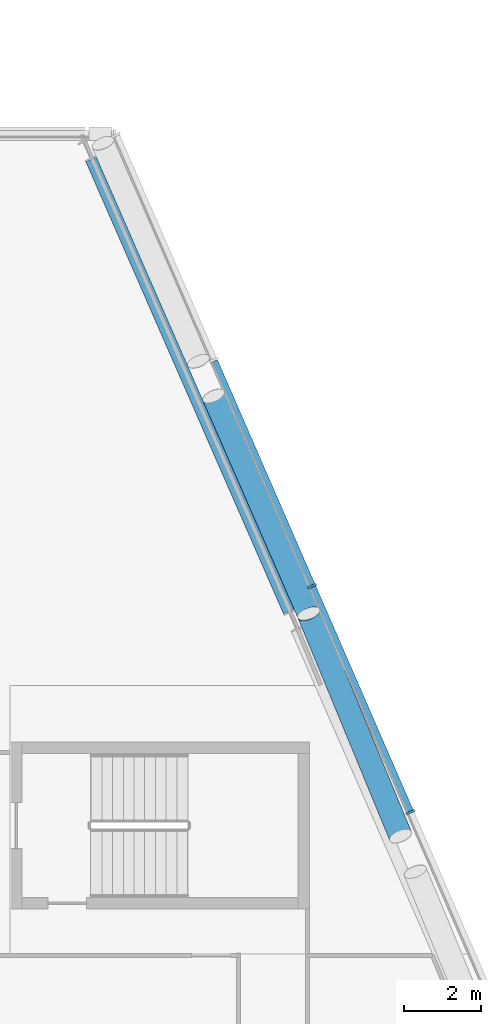
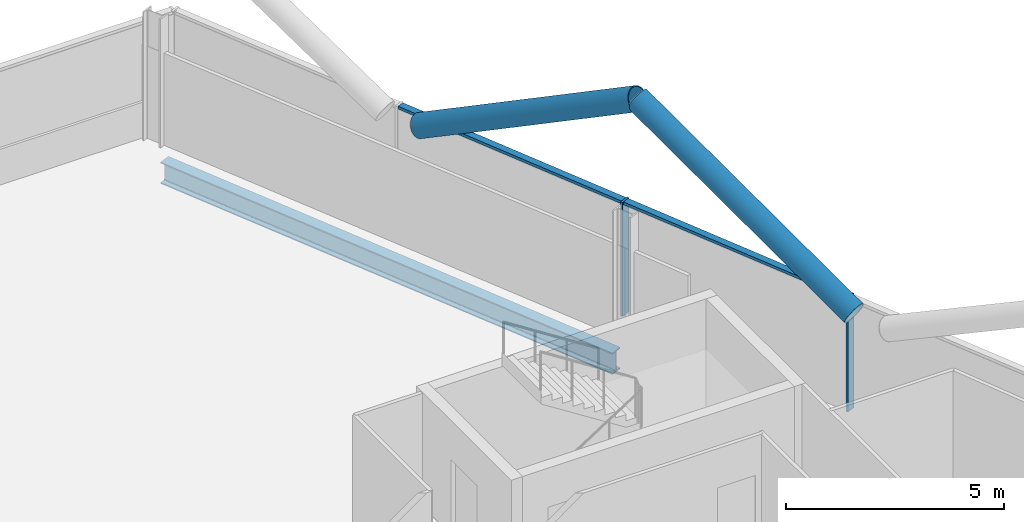
# One storey, part 9 of 27: 6 members, 1 beam, 1 element without a shape of its own.
"""IFC4 building model written with IfcOpenShell, lengths in metres."""

from ifc_helpers import new_model, si_unit, direction, frame, origin, origin_2d, place, context, subcontext, project, spatial, rectangle, hollow_circle, i_section, extrude, material, material_profile, profile_set, type_object, element, aggregate, save


model = new_model("IFC4")

# Units and contexts
model_context = context("Model", 3, precision=1e-05, world=origin(), true_north=direction((0.0, 1.0)))
body_context = subcontext(model_context, "Body", "Model", "MODEL_VIEW")
ifc_project = project(units=[si_unit("LENGTHUNIT", "METRE"), si_unit("AREAUNIT", "SQUARE_METRE"), si_unit("VOLUMEUNIT", "CUBIC_METRE"), si_unit("PLANEANGLEUNIT", "RADIAN"), si_unit("MASSUNIT", "GRAM", prefix="KILO")], contexts=[model_context])

# Site, building, storey
site_placement = place(None, origin())
site = spatial("IfcSite", under=ifc_project, at=site_placement, CompositionType="ELEMENT")
building_placement = place(site_placement, origin())
building = spatial("IfcBuilding", under=site, at=building_placement, Name="Wharfspan Tower", CompositionType="ELEMENT")
storey_placement = place(building_placement, frame((0.0, 0.0, 243.100098)))
storey = spatial("IfcBuildingStorey", under=building, at=storey_placement, Name="L61", CompositionType="ELEMENT", Elevation=243.100098)

# Beam
ifc_material_1 = material(Name="Steel S355J2", Category="steel")
ifc_material_profile_1 = material_profile(ifc_material_1, i_section(OverallWidth=0.300049, OverallDepth=0.600098, WebThickness=0.015381, FlangeThickness=0.030029, FilletRadius=0.0271, at=origin_2d()))
ifc_profile_set_1 = profile_set([ifc_material_profile_1], Name="Steel S355J2")
beam_type = type_object("IfcBeamType", Name="Edge beam HEB 600", PredefinedType="SPANDREL", material=ifc_profile_set_1)
beam_placement = place(storey_placement, frame((74.13208, 29.53125, -0.700195), z_axis=(-0.400619, 0.916245, 0.0), x_axis=(-0.916245, -0.400619, 0.0)))
element("IfcBeam", 1, at=beam_placement, inside=storey, type_object=beam_type, Name="Edge beam E L61 PE.2 to PE.3", PredefinedType="SPANDREL", context=body_context, shape_type="SweptSolid", body=[
    extrude(i_section(OverallWidth=0.300049, OverallDepth=0.600098, WebThickness=0.015381, FlangeThickness=0.030029, FilletRadius=0.0271, at=origin_2d()), origin(), (0.0, 0.0, 1.0), 12.883545),
])

# Curtain wall, members
ifc_material_2 = material(Name="Aluminium 6063-T6", Category="aluminium")
curtain_wall_type = type_object("IfcCurtainWallType", Name="CURTAIN WALL PROW AND END", PredefinedType="NOTDEFINED", material=ifc_material_2)
curtain_wall_placement = place(storey_placement, origin())
curtain_wall = element("IfcCurtainWall", 2, at=curtain_wall_placement, inside=storey, type_object=curtain_wall_type, Name="Curtain wall E", PredefinedType="NOTDEFINED")
ifc_material_profile_2 = material_profile(ifc_material_2, rectangle(XDim=0.23999, YDim=0.060059, at=origin_2d()))
ifc_profile_set_2 = profile_set([ifc_material_profile_2], Name="Aluminium 6063-T6")
member_type_1 = type_object("IfcMemberType", Name="MULLION PROW AND END 60x240", PredefinedType="MULLION", material=ifc_profile_set_2)
member_1_placement = place(storey_placement, frame((77.304443, 24.300049, 0.0), z_axis=(0.0, 0.0, 1.0), x_axis=(-0.917072, -0.398727, 0.0)))
member_1 = element("IfcMember", 3, at=member_1_placement, type_object=member_type_1, Name="Curtain wall E mullion 4", PredefinedType="MULLION", context=body_context, shape_type="SweptSolid", body=[
    extrude(rectangle(XDim=0.23999, YDim=0.060059, at=origin_2d()), origin(), (0.0, 0.0, 1.0), 3.199951),
])
member_2_placement = place(storey_placement, frame((74.739014, 30.199951, 0.0), z_axis=(0.0, 0.0, 1.0), x_axis=(-0.917072, -0.398727, 0.0)))
member_2 = element("IfcMember", 4, at=member_2_placement, type_object=member_type_1, Name="Curtain wall E mullion 5", PredefinedType="MULLION", context=body_context, shape_type="SweptSolid", body=[
    extrude(rectangle(XDim=0.23999, YDim=0.060059, at=origin_2d()), origin(), (0.0, 0.0, 1.0), 3.199951),
])

# Members
ifc_material_3 = material(Name="Steel S460NH", Category="steel")
ifc_material_profile_3 = material_profile(ifc_material_3, hollow_circle(Radius=0.304932, WallThickness=0.024902, at=origin_2d()))
ifc_profile_set_3 = profile_set([ifc_material_profile_3], Name="Steel S460NH")
member_type_2 = type_object("IfcMemberType", Name="Mega brace CHS 610x25", PredefinedType="BRACE", material=ifc_profile_set_3)
member_3_placement = place(storey_placement, frame((77.047607, 23.675049, 3.167236), z_axis=(-0.337032, 0.816367, 0.468993), x_axis=(-0.92433, -0.381605, 2e-06)))
element("IfcMember", 5, at=member_3_placement, inside=storey, type_object=member_type_2, Name="Mega brace E5 L61 part 2", PredefinedType="BRACE", context=body_context, shape_type="SweptSolid", body=[
    extrude(hollow_circle(Radius=0.304932, WallThickness=0.024902, at=origin_2d()), origin(), (0.0, 0.0, 1.0), 7.106201),
])
member_4_placement = place(storey_placement, frame((72.16748, 35.160156, 3.166504), z_axis=(0.352883, -0.8071, 0.473353), x_axis=(0.916253, 0.400609, 3e-06)))
element("IfcMember", 6, at=member_4_placement, inside=storey, type_object=member_type_2, Name="Mega brace E6 L61 part 4", PredefinedType="BRACE", context=body_context, shape_type="SweptSolid", body=[
    extrude(hollow_circle(Radius=0.304932, WallThickness=0.024902, at=origin_2d()), origin(), (0.0, 0.0, 1.0), 7.042236),
])

# Member
ifc_material_profile_4 = material_profile(ifc_material_2, rectangle(XDim=0.179932, YDim=0.080078, at=origin_2d()))
ifc_profile_set_4 = profile_set([ifc_material_profile_4], Name="Aluminium 6063-T6")
member_type_3 = type_object("IfcMemberType", Name="TRANSOM PROW AND END 80x180", PredefinedType="USERDEFINED", material=ifc_profile_set_4)
member_5_placement = place(storey_placement, frame((77.29248, 24.327393, 3.159912), z_axis=(-0.39874, 0.917064, 0.0), x_axis=(-0.917064, -0.39874, 0.0)))
member_5 = element("IfcMember", 7, at=member_5_placement, type_object=member_type_3, Name="Curtain wall E transom 4", ObjectType="TRANSOM", PredefinedType="USERDEFINED", context=body_context, shape_type="SweptSolid", body=[
    extrude(rectangle(XDim=0.179932, YDim=0.080078, at=origin_2d()), origin(), (0.0, 0.0, 1.0), 6.373779),
])

member_6_placement = place(storey_placement, frame((74.727051, 30.227539, 3.159912), z_axis=(-0.398722, 0.917072, 0.0), x_axis=(-0.917072, -0.398722, 0.0)))
member_6 = element("IfcMember", 8, at=member_6_placement, type_object=member_type_3, Name="Curtain wall E transom 5", ObjectType="TRANSOM", PredefinedType="USERDEFINED", context=body_context, shape_type="SweptSolid", body=[
    extrude(rectangle(XDim=0.179932, YDim=0.080078, at=origin_2d()), origin(), (0.0, 0.0, 1.0), 6.373535),
])

aggregate(curtain_wall, [member_1, member_2, member_5, member_6])

save(model, "model.ifc")
